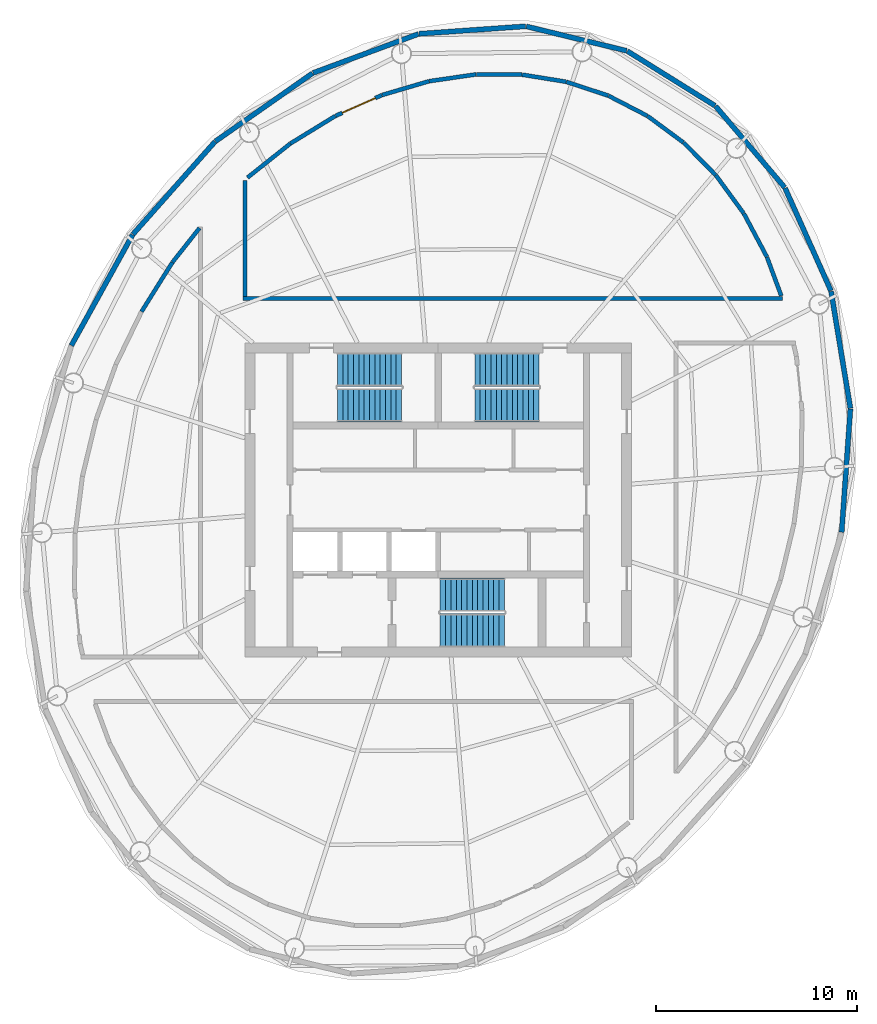
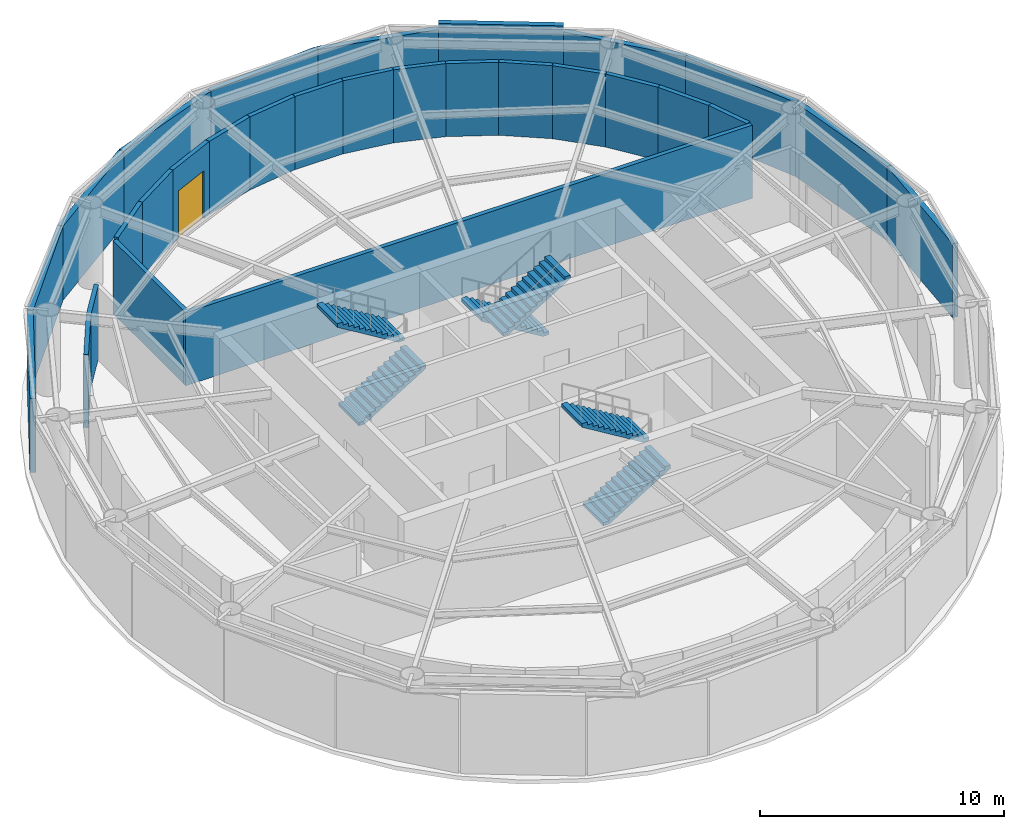
# One storey, part 5 of 6: 29 walls, 6 stair flights, 1 door, 1 opening, 3 elements without a shape of their own.
"""IFC4 building model written with IfcOpenShell, lengths in metres."""

from ifc_helpers import new_model, si_unit, direction, frame, frame_2d, origin, place, context, subcontext, project, spatial, polyline, rectangle, outline, extrude, material, layer, layer_set, type_object, element, fill, aggregate, save


model = new_model("IFC4")

# Units and contexts
model_context = context("Model", 3, precision=1e-05, world=origin(), true_north=direction((0.0, 1.0)))
body_context = subcontext(model_context, "Body", "Model", "MODEL_VIEW")
ifc_project = project(units=[si_unit("LENGTHUNIT", "METRE"), si_unit("AREAUNIT", "SQUARE_METRE"), si_unit("VOLUMEUNIT", "CUBIC_METRE"), si_unit("PLANEANGLEUNIT", "RADIAN"), si_unit("MASSUNIT", "GRAM", prefix="KILO")], contexts=[model_context])

# Site, building, storey
site_placement = place(None, origin())
site = spatial("IfcSite", under=ifc_project, at=site_placement, CompositionType="ELEMENT")
building_placement = place(site_placement, origin())
building = spatial("IfcBuilding", under=site, at=building_placement, Name="Vermilion Reach Broadcast Tower", CompositionType="ELEMENT")
storey_placement = place(building_placement, frame((0.0, 0.0, 312.89990234375)))
storey = spatial("IfcBuildingStorey", under=building, at=storey_placement, Name="L78 CROWN", CompositionType="ELEMENT", Elevation=312.89990234375)

# Walls
ifc_material_1 = material(Name="Anodised aluminium louvre cladding", Category="aluminium")
ifc_layer_1 = layer(ifc_material_1, 0.25)
ifc_layer_set_1 = layer_set([ifc_layer_1], Name="Plant louvre wall 250")
wall_type_1 = type_object("IfcWallType", Name="Plant louvre wall 250", PredefinedType="SOLIDWALL", material=ifc_layer_set_1)
wall_1_placement = place(storey_placement, frame((7.736572265625, 19.56982421875, 0.0), z_axis=(0.0, 0.0, 1.0), x_axis=(-0.84872546146, 0.528833708333, 0.0)))
element("IfcWall", 1, at=wall_1_placement, inside=storey, type_object=wall_type_1, Name="Louvre wall L78 CROWN 24", PredefinedType="SOLIDWALL", context=body_context, shape_type="SweptSolid", body=[
    extrude(rectangle(XDim=5.124755859375, YDim=0.25, at=frame_2d((2.5625, 0.0))), origin(), (0.0, 0.0, 1.0), 4.0),
])
ifc_material_2 = material(Name="Anodised aluminium louvre cladding", Category="aluminium")
ifc_layer_2 = layer(ifc_material_2, 0.25)
ifc_layer_set_2 = layer_set([ifc_layer_2], Name="Plant louvre wall 250, head 300 below soffit")
wall_type_2 = type_object("IfcWallType", Name="Plant louvre wall 250, head 300 below soffit", PredefinedType="SOLIDWALL", material=ifc_layer_set_2)
wall_2_placement = place(storey_placement, frame((3.350830078125, 22.29541015625, 0.0), z_axis=(0.0, 0.0, 1.0), x_axis=(-0.971672333914, 0.236332129654, 0.0)))
element("IfcWall", 2, at=wall_2_placement, inside=storey, type_object=wall_type_2, Name="Louvre wall L78 CROWN 01", PredefinedType="SOLIDWALL", context=body_context, shape_type="SweptSolid", body=[
    extrude(rectangle(XDim=5.125, YDim=0.25, at=frame_2d((2.5625, 0.0))), origin(), (0.0, 0.0, 1.0), 3.7001953125),
])
wall_3_placement = place(storey_placement, frame((-1.666748046875, 23.509765625, 0.0), z_axis=(0.0, 0.0, 1.0), x_axis=(-0.997541335578, -0.070080552324, 0.0)))
element("IfcWall", 3, at=wall_3_placement, inside=storey, type_object=wall_type_2, Name="Louvre wall L78 CROWN 02", PredefinedType="SOLIDWALL", context=body_context, shape_type="SweptSolid", body=[
    extrude(rectangle(XDim=5.295166015625, YDim=0.25, at=frame_2d((2.6474609375, 0.0))), origin(), (0.0, 0.0, 1.0), 3.7001953125),
])
wall_4_placement = place(storey_placement, frame((-6.983154296875, 23.13134765625, 0.0), z_axis=(0.0, 0.0, 1.0), x_axis=(-0.937764073403, -0.34727300879, 0.0)))
element("IfcWall", 4, at=wall_4_placement, inside=storey, type_object=wall_type_2, Name="Louvre wall L78 CROWN 03", PredefinedType="SOLIDWALL", context=body_context, shape_type="SweptSolid", body=[
    extrude(rectangle(XDim=5.5771484375, YDim=0.25, at=frame_2d((2.78857421875, 0.0))), origin(), (0.0, 0.0, 1.0), 3.7001953125),
])
wall_5_placement = place(storey_placement, frame((-12.2412109375, 21.1796875, 0.0), z_axis=(0.0, 0.0, 1.0), x_axis=(-0.818761962214, -0.574133128492, 0.0)))
element("IfcWall", 5, at=wall_5_placement, inside=storey, type_object=wall_type_2, Name="Louvre wall L78 CROWN 04", PredefinedType="SOLIDWALL", context=body_context, shape_type="SweptSolid", body=[
    extrude(rectangle(XDim=5.88525390625, YDim=0.25, at=frame_2d((2.942626953125, 0.0))), origin(), (0.0, 0.0, 1.0), 3.7001953125),
])
wall_6_placement = place(storey_placement, frame((-17.081298828125, 17.781494140625, 0.0), z_axis=(0.0, 0.0, 1.0), x_axis=(-0.663232601491, -0.748413332537, 0.0)))
element("IfcWall", 6, at=wall_6_placement, inside=storey, type_object=wall_type_2, Name="Louvre wall L78 CROWN 05", PredefinedType="SOLIDWALL", context=body_context, shape_type="SweptSolid", body=[
    extrude(rectangle(XDim=6.139404296875, YDim=0.25, at=frame_2d((3.06982421875, 0.0))), origin(), (0.0, 0.0, 1.0), 3.7001953125),
])
wall_7_placement = place(storey_placement, frame((-21.168701171875, 13.164794921875, 0.0), z_axis=(0.0, 0.0, 1.0), x_axis=(-0.484124074201, -0.874999360445, 0.0)))
element("IfcWall", 7, at=wall_7_placement, inside=storey, type_object=wall_type_2, Name="Louvre wall L78 CROWN 06", PredefinedType="SOLIDWALL", context=body_context, shape_type="SweptSolid", body=[
    extrude(rectangle(XDim=6.281005859375, YDim=0.25, at=frame_2d((3.140625, 0.0))), origin(), (0.0, 0.0, 1.0), 3.7001953125),
])
wall_8_placement = place(storey_placement, frame((14.023681640625, -1.60009765625, 0.0), z_axis=(0.0, 0.0, 1.0), x_axis=(0.07066487406, 0.99750011307, 0.0)))
element("IfcWall", 8, at=wall_8_placement, inside=storey, type_object=wall_type_2, Name="Louvre wall L78 CROWN 20", PredefinedType="SOLIDWALL", context=body_context, shape_type="SweptSolid", body=[
    extrude(rectangle(XDim=6.139404296875, YDim=0.25, at=frame_2d((3.06982421875, 0.0))), origin(), (0.0, 0.0, 1.0), 3.7001953125),
])
wall_9_placement = place(storey_placement, frame((14.4560546875, 4.552734375, 0.0), z_axis=(0.0, 0.0, 1.0), x_axis=(-0.162616041589, 0.986689425816, 0.0)))
element("IfcWall", 9, at=wall_9_placement, inside=storey, type_object=wall_type_2, Name="Louvre wall L78 CROWN 21", PredefinedType="SOLIDWALL", context=body_context, shape_type="SweptSolid", body=[
    extrude(rectangle(XDim=5.88525390625, YDim=0.25, at=frame_2d((2.942626953125, 0.0))), origin(), (0.0, 0.0, 1.0), 3.7001953125),
])
wall_10_placement = place(storey_placement, frame((13.489990234375, 10.389892578125, 0.0), z_axis=(0.0, 0.0, 1.0), x_axis=(-0.407989751163, 0.912986507538, 0.0)))
element("IfcWall", 10, at=wall_10_placement, inside=storey, type_object=wall_type_2, Name="Louvre wall L78 CROWN 22", PredefinedType="SOLIDWALL", context=body_context, shape_type="SweptSolid", body=[
    extrude(rectangle(XDim=5.5771484375, YDim=0.25, at=frame_2d((2.78857421875, 0.0))), origin(), (0.0, 0.0, 1.0), 3.7001953125),
])
wall_11_placement = place(storey_placement, frame((11.196044921875, 15.511474609375, 0.0), z_axis=(0.0, 0.0, 1.0), x_axis=(-0.647893308308, 0.761731094973, 0.0)))
element("IfcWall", 11, at=wall_11_placement, inside=storey, type_object=wall_type_2, Name="Louvre wall L78 CROWN 23", PredefinedType="SOLIDWALL", context=body_context, shape_type="SweptSolid", body=[
    extrude(rectangle(XDim=5.295166015625, YDim=0.25, at=frame_2d((2.6474609375, 0.0))), origin(), (0.0, 0.0, 1.0), 3.7001953125),
])
ifc_material_3 = material(Name="Gypsum board shaft wall")
ifc_layer_3 = layer(ifc_material_3, 0.199951171875)
ifc_layer_set_3 = layer_set([ifc_layer_3], Name="Plant room wall 200")
wall_type_3 = type_object("IfcWallType", Name="Plant room wall 200", PredefinedType="PARTITIONING", material=ifc_layer_set_3)
wall_12_placement = place(storey_placement, frame((-15.7001953125, 10.0, 0.0), z_axis=(0.0, 0.0, 1.0), x_axis=(1.0, 0.0, 0.0)))
element("IfcWall", 12, at=wall_12_placement, inside=storey, type_object=wall_type_3, Name="sp.wall.L78 CROWN.000", PredefinedType="PARTITIONING", context=body_context, shape_type="SweptSolid", body=[
    extrude(rectangle(XDim=26.7763671875, YDim=0.199951171875, at=frame_2d((13.38818359375, 0.0))), origin(), (0.0, 0.0, 1.0), 3.650146484375),
])
wall_13_placement = place(storey_placement, frame((-15.60009765625, 10.10009765625, 0.0), z_axis=(0.0, 0.0, 1.0), x_axis=(0.0, 1.0, 0.0)))
element("IfcWall", 13, at=wall_13_placement, inside=storey, type_object=wall_type_3, Name="sp.wall.L78 CROWN.004", PredefinedType="PARTITIONING", context=body_context, shape_type="SweptSolid", body=[
    extrude(rectangle(XDim=5.767333984375, YDim=0.199951171875, at=frame_2d((2.8837890625, 0.0))), origin(), (0.0, 0.0, 1.0), 3.650146484375),
])
wall_14_placement = place(storey_placement, frame((7.780029296875, 16.11865234375, 0.0), z_axis=(0.0, 0.0, 1.0), x_axis=(0.590082027637, -0.807343297897, 0.0)))
element("IfcWall", 14, at=wall_14_placement, inside=storey, type_object=wall_type_3, Name="sp.wall.L78 CROWN.008", PredefinedType="PARTITIONING", context=body_context, shape_type="SweptSolid", body=[
    extrude(rectangle(XDim=2.33837890625, YDim=0.199951171875, at=frame_2d((1.169189453125, 0.0))), origin(), (0.0, 0.0, 1.0), 3.650146484375),
])
wall_15_placement = place(storey_placement, frame((9.168212890625, 14.21923828125, 0.0), z_axis=(0.0, 0.0, 1.0), x_axis=(0.469606334902, -0.882875920059, 0.0)))
element("IfcWall", 15, at=wall_15_placement, inside=storey, type_object=wall_type_3, Name="sp.wall.L78 CROWN.009", PredefinedType="PARTITIONING", context=body_context, shape_type="SweptSolid", body=[
    extrude(rectangle(XDim=2.439697265625, YDim=0.199951171875, at=frame_2d((1.2197265625, 0.0))), origin(), (0.0, 0.0, 1.0), 3.650146484375),
])
wall_16_placement = place(storey_placement, frame((10.318603515625, 12.052490234375, 0.0), z_axis=(0.0, 0.0, 1.0), x_axis=(0.346197844841, -0.938161527791, 0.0)))
element("IfcWall", 16, at=wall_16_placement, inside=storey, type_object=wall_type_3, Name="sp.wall.L78 CROWN.010", PredefinedType="PARTITIONING", context=body_context, shape_type="SweptSolid", body=[
    extrude(rectangle(XDim=2.04443359375, YDim=0.199951171875, at=frame_2d((1.022216796875, 0.0))), origin(), (0.0, 0.0, 1.0), 3.650146484375),
])
wall_17_placement = place(storey_placement, frame((-15.467529296875, 16.0009765625, 0.0), z_axis=(0.0, 0.0, 1.0), x_axis=(0.782665833332, 0.62244212047, 0.0)))
element("IfcWall", 17, at=wall_17_placement, inside=storey, type_object=wall_type_3, Name="sp.wall.L78 CROWN.011", PredefinedType="PARTITIONING", context=body_context, shape_type="SweptSolid", body=[
    extrude(rectangle(XDim=2.712158203125, YDim=0.199951171875, at=frame_2d((1.35595703125, 0.0))), origin(), (0.0, 0.0, 1.0), 3.650146484375),
])
wall_18_placement = place(storey_placement, frame((-13.334228515625, 17.69580078125, 0.0), z_axis=(0.0, 0.0, 1.0), x_axis=(0.852667029926, 0.522454721557, 0.0)))
element("IfcWall", 18, at=wall_18_placement, inside=storey, type_object=wall_type_3, Name="sp.wall.L78 CROWN.012", PredefinedType="PARTITIONING", context=body_context, shape_type="SweptSolid", body=[
    extrude(rectangle(XDim=2.613525390625, YDim=0.199951171875, at=frame_2d((1.306640625, 0.0))), origin(), (0.0, 0.0, 1.0), 3.650146484375),
])

# Wall, opening, door
wall_19_placement = place(storey_placement, frame((-8.7939453125, 20.097412109375, 0.0), z_axis=(0.0, 0.0, 1.0), x_axis=(-0.912552955942, -0.408958558538, 0.0)))
wall_19 = element("IfcWall", 19, at=wall_19_placement, inside=storey, type_object=wall_type_3, Name="sp.wall.L78 CROWN.013", PredefinedType="PARTITIONING", context=body_context, shape_type="SweptSolid", body=[
    extrude(rectangle(XDim=2.5205078125, YDim=0.199951171875, at=frame_2d((1.26025390625, 0.0))), origin(), (0.0, 0.0, 1.0), 3.650146484375),
])
opening_placement = place(wall_19_placement, frame((0.360107421875, 0.0, 0.0)))
opening = element("IfcOpeningElement", 20, at=opening_placement, cuts=wall_19, Name="Opening D53", PredefinedType="OPENING", context=body_context, shape_type="SweptSolid", body=[
    extrude(rectangle(XDim=1.800048828125, YDim=2.39990234375, at=frame_2d((0.89990234375, 1.199951171875))), frame((0.0, 0.10986328125, 0.0), z_axis=(0.0, -1.0, 0.0), x_axis=(1.0, 0.0, 0.0)), (0.0, 0.0, 1.0), 0.219970703125),
])
ifc_material_4 = material(Name="Timber and steel door set", Category="steel")
door_type = type_object("IfcDoorType", Name="Plant double door 1800x2400", OperationType="NOTDEFINED", PredefinedType="DOOR", material=ifc_material_4)
door_placement = place(opening_placement, origin())
door = element("IfcDoor", 21, at=door_placement, inside=storey, type_object=door_type, Name="sp.door.L78 CROWN.000", OperationType="DOUBLE_DOOR_SINGLE_SWING", OverallHeight=2.39990234375, OverallWidth=1.800048828125, PredefinedType="DOOR", context=body_context, shape_type="SweptSolid", body=[
    extrude(rectangle(XDim=1.800048828125, YDim=2.39990234375, at=frame_2d((0.89990234375, 1.199951171875))), frame((0.0, 0.02490234375, 0.0), z_axis=(0.0, -1.0, 0.0), x_axis=(1.0, 0.0, 0.0)), (0.0, 0.0, 1.0), 0.050048828125),
])
fill(opening, door)

# Walls
wall_20_placement = place(storey_placement, frame((-8.781005859375, 20.101318359375, 0.0), z_axis=(0.0, 0.0, 1.0), x_axis=(0.95934146389, 0.28224803925, 0.0)))
element("IfcWall", 22, at=wall_20_placement, inside=storey, type_object=wall_type_3, Name="sp.wall.L78 CROWN.014", PredefinedType="PARTITIONING", context=body_context, shape_type="SweptSolid", body=[
    extrude(rectangle(XDim=2.42626953125, YDim=0.199951171875, at=frame_2d((1.213134765625, 0.0))), origin(), (0.0, 0.0, 1.0), 3.650146484375),
])
wall_21_placement = place(storey_placement, frame((-6.439208984375, 20.7880859375, 0.0), z_axis=(0.0, 0.0, 1.0), x_axis=(0.989671979467, 0.143350525141, 0.0)))
element("IfcWall", 23, at=wall_21_placement, inside=storey, type_object=wall_type_3, Name="sp.wall.L78 CROWN.015", PredefinedType="PARTITIONING", context=body_context, shape_type="SweptSolid", body=[
    extrude(rectangle(XDim=2.33837890625, YDim=0.199951171875, at=frame_2d((1.169189453125, 0.0))), origin(), (0.0, 0.0, 1.0), 3.650146484375),
])
wall_22_placement = place(storey_placement, frame((-4.110107421875, 21.123046875, 0.0), z_axis=(0.0, 0.0, 1.0), x_axis=(0.999986603133, -0.005176248997, 0.0)))
element("IfcWall", 24, at=wall_22_placement, inside=storey, type_object=wall_type_3, Name="sp.wall.L78 CROWN.016", PredefinedType="PARTITIONING", context=body_context, shape_type="SweptSolid", body=[
    extrude(rectangle(XDim=2.263916015625, YDim=0.199951171875, at=frame_2d((1.1318359375, 0.0))), origin(), (0.0, 0.0, 1.0), 3.650146484375),
])
wall_23_placement = place(storey_placement, frame((-1.830810546875, 21.10888671875, 0.0), z_axis=(0.0, 0.0, 1.0), x_axis=(0.987257926423, -0.159128208423, 0.0)))
element("IfcWall", 25, at=wall_23_placement, inside=storey, type_object=wall_type_3, Name="sp.wall.L78 CROWN.017", PredefinedType="PARTITIONING", context=body_context, shape_type="SweptSolid", body=[
    extrude(rectangle(XDim=2.209228515625, YDim=0.199951171875, at=frame_2d((1.1044921875, 0.0))), origin(), (0.0, 0.0, 1.0), 3.650146484375),
])
wall_24_placement = place(storey_placement, frame((0.365478515625, 20.752197265625, 0.0), z_axis=(0.0, 0.0, 1.0), x_axis=(0.949852302688, -0.312698901627, 0.0)))
element("IfcWall", 26, at=wall_24_placement, inside=storey, type_object=wall_type_3, Name="sp.wall.L78 CROWN.018", PredefinedType="PARTITIONING", context=body_context, shape_type="SweptSolid", body=[
    extrude(rectangle(XDim=2.1806640625, YDim=0.199951171875, at=frame_2d((1.09033203125, 0.0))), origin(), (0.0, 0.0, 1.0), 3.650146484375),
])
wall_25_placement = place(storey_placement, frame((2.450927734375, 20.062744140625, 0.0), z_axis=(0.0, 0.0, 1.0), x_axis=(0.888068415533, -0.45971131086, 0.0)))
element("IfcWall", 27, at=wall_25_placement, inside=storey, type_object=wall_type_3, Name="sp.wall.L78 CROWN.019", PredefinedType="PARTITIONING", context=body_context, shape_type="SweptSolid", body=[
    extrude(rectangle(XDim=2.16455078125, YDim=0.199951171875, at=frame_2d((1.082275390625, 0.0))), origin(), (0.0, 0.0, 1.0), 3.650146484375),
])
wall_26_placement = place(storey_placement, frame((4.387451171875, 19.060302734375, 0.0), z_axis=(0.0, 0.0, 1.0), x_axis=(0.80443326696, -0.594043027909, 0.0)))
element("IfcWall", 28, at=wall_26_placement, inside=storey, type_object=wall_type_3, Name="sp.wall.L78 CROWN.020", PredefinedType="PARTITIONING", context=body_context, shape_type="SweptSolid", body=[
    extrude(rectangle(XDim=2.20947265625, YDim=0.199951171875, at=frame_2d((1.104736328125, 0.0))), origin(), (0.0, 0.0, 1.0), 3.650146484375),
])
wall_27_placement = place(storey_placement, frame((6.17724609375, 17.738525390625, 0.0), z_axis=(0.0, 0.0, 1.0), x_axis=(0.703376280453, -0.710817703843, 0.0)))
element("IfcWall", 29, at=wall_27_placement, inside=storey, type_object=wall_type_3, Name="sp.wall.L78 CROWN.021", PredefinedType="PARTITIONING", context=body_context, shape_type="SweptSolid", body=[
    extrude(rectangle(XDim=2.263671875, YDim=0.199951171875, at=frame_2d((1.1318359375, 0.0))), origin(), (0.0, 0.0, 1.0), 3.650146484375),
])
wall_28_placement = place(storey_placement, frame((-20.724609375, 9.352294921875, 0.0), z_axis=(0.0, 0.0, 1.0), x_axis=(0.530761457751, 0.847521253401, 0.0)))
element("IfcWall", 30, at=wall_28_placement, inside=storey, type_object=wall_type_3, Name="sp.wall.L78 CROWN.027", PredefinedType="PARTITIONING", context=body_context, shape_type="SweptSolid", body=[
    extrude(rectangle(XDim=2.877197265625, YDim=0.199951171875, at=frame_2d((1.4384765625, 0.0))), origin(), (0.0, 0.0, 1.0), 3.650146484375),
])
wall_29_placement = place(storey_placement, frame((-19.190673828125, 11.79931640625, 0.0), z_axis=(0.0, 0.0, 1.0), x_axis=(0.620321195124, 0.784347891487, 0.0)))
element("IfcWall", 31, at=wall_29_placement, inside=storey, type_object=wall_type_3, Name="sp.wall.L78 CROWN.028", PredefinedType="PARTITIONING", context=body_context, shape_type="SweptSolid", body=[
    extrude(rectangle(XDim=2.16259765625, YDim=0.199951171875, at=frame_2d((1.081298828125, 0.0))), origin(), (0.0, 0.0, 1.0), 3.650146484375),
])

# Stair, stair flights
ifc_material_5 = material(Name="Concrete C40", Category="concrete")
stair_type = type_object("IfcStairType", Name="Exit stair RC 26 risers 162 mm", PredefinedType="HALF_TURN_STAIR", material=ifc_material_5)
placement = place(storey_placement, origin())
stair_1 = element("IfcStair", 32, at=placement, inside=storey, type_object=stair_type, Name="L78 CROWN Exit stair ST1", PredefinedType="HALF_TURN_STAIR")
ifc_material_6 = material(Name="Concrete C40", Category="concrete")
stair_flight_type = type_object("IfcStairFlightType", Name="Exit stair flight RC 13 risers", PredefinedType="STRAIGHT", material=ifc_material_6)
stair_flight_1_placement = place(storey_placement, frame((-11.0, 4.7099609375, 0.0), z_axis=(0.0, 0.0, 1.0), x_axis=(1.0, 0.0, 0.0)))
stair_flight_1 = element("IfcStairFlight", 33, at=stair_flight_1_placement, type_object=stair_flight_type, Name="ST1 flight 1", NumberOfRisers=13, NumberOfTreads=12, PredefinedType="STRAIGHT", RiserHeight=0.161538462, TreadLength=0.265, context=body_context, shape_type="SweptSolid", body=[
    extrude(outline(polyline([(0.0, 0.0), (0.0, 0.16162109375), (0.264892578125, 0.16162109375), (0.264892578125, 0.322998046875), (0.530029296875, 0.322998046875), (0.530029296875, 0.484619140625), (0.794921875, 0.484619140625), (0.794921875, 0.646240234375), (1.06005859375, 0.646240234375), (1.06005859375, 0.8076171875), (1.324951171875, 0.8076171875), (1.324951171875, 0.96923828125), (1.590087890625, 0.96923828125), (1.590087890625, 1.130859375), (1.85498046875, 1.130859375), (1.85498046875, 1.292236328125), (2.1201171875, 1.292236328125), (2.1201171875, 1.453857421875), (2.385009765625, 1.453857421875), (2.385009765625, 1.615478515625), (2.64990234375, 1.615478515625), (2.64990234375, 1.77685546875), (2.9150390625, 1.77685546875), (2.9150390625, 1.9384765625), (3.179931640625, 1.9384765625), (3.179931640625, 2.10009765625), (3.179931640625, 1.762939453125), (0.2880859375, 0.0), (0.0, 0.0)])), frame((0.0, 0.830078125, 0.0), z_axis=(0.0, -1.0, 0.0), x_axis=(1.0, 0.0, 0.0)), (0.0, 0.0, 1.0), 1.659912109375),
])
stair_flight_2_placement = place(storey_placement, frame((-7.820068359375, 6.469970703125, 2.10009765625), z_axis=(0.0, 0.0, 1.0), x_axis=(-1.0, 0.0, 0.0)))
stair_flight_2 = element("IfcStairFlight", 34, at=stair_flight_2_placement, type_object=stair_flight_type, Name="ST1 flight 2", NumberOfRisers=13, NumberOfTreads=12, PredefinedType="STRAIGHT", RiserHeight=0.161538462, TreadLength=0.265, context=body_context, shape_type="SweptSolid", body=[
    extrude(outline(polyline([(0.0, 0.0), (0.0, 0.16162109375), (0.264892578125, 0.16162109375), (0.264892578125, 0.322998046875), (0.530029296875, 0.322998046875), (0.530029296875, 0.484619140625), (0.794921875, 0.484619140625), (0.794921875, 0.646240234375), (1.06005859375, 0.646240234375), (1.06005859375, 0.8076171875), (1.324951171875, 0.8076171875), (1.324951171875, 0.96923828125), (1.590087890625, 0.96923828125), (1.590087890625, 1.130859375), (1.85498046875, 1.130859375), (1.85498046875, 1.292236328125), (2.1201171875, 1.292236328125), (2.1201171875, 1.453857421875), (2.385009765625, 1.453857421875), (2.385009765625, 1.615478515625), (2.64990234375, 1.615478515625), (2.64990234375, 1.77685546875), (2.9150390625, 1.77685546875), (2.9150390625, 1.9384765625), (3.179931640625, 1.9384765625), (3.179931640625, 2.10009765625), (3.179931640625, 1.762939453125), (0.2880859375, 0.0), (0.0, 0.0)])), frame((0.0, 0.830078125, 0.0), z_axis=(0.0, -1.0, 0.0), x_axis=(1.0, 0.0, 0.0)), (0.0, 0.0, 1.0), 1.659912109375),
])
aggregate(stair_1, [stair_flight_1, stair_flight_2])

stair_2 = element("IfcStair", 35, at=placement, inside=storey, type_object=stair_type, Name="L78 CROWN Exit stair ST2", PredefinedType="HALF_TURN_STAIR")
stair_flight_3_placement = place(storey_placement, frame((-1.0, 6.469970703125, 0.0), z_axis=(0.0, 0.0, 1.0), x_axis=(-1.0, 0.0, 0.0)))
stair_flight_3 = element("IfcStairFlight", 36, at=stair_flight_3_placement, type_object=stair_flight_type, Name="ST2 flight 1", NumberOfRisers=13, NumberOfTreads=12, PredefinedType="STRAIGHT", RiserHeight=0.161538462, TreadLength=0.265, context=body_context, shape_type="SweptSolid", body=[
    extrude(outline(polyline([(0.0, 0.0), (0.0, 0.16162109375), (0.264892578125, 0.16162109375), (0.264892578125, 0.322998046875), (0.530029296875, 0.322998046875), (0.530029296875, 0.484619140625), (0.794921875, 0.484619140625), (0.794921875, 0.646240234375), (1.06005859375, 0.646240234375), (1.06005859375, 0.8076171875), (1.324951171875, 0.8076171875), (1.324951171875, 0.96923828125), (1.590087890625, 0.96923828125), (1.590087890625, 1.130859375), (1.85498046875, 1.130859375), (1.85498046875, 1.292236328125), (2.1201171875, 1.292236328125), (2.1201171875, 1.453857421875), (2.385009765625, 1.453857421875), (2.385009765625, 1.615478515625), (2.64990234375, 1.615478515625), (2.64990234375, 1.77685546875), (2.9150390625, 1.77685546875), (2.9150390625, 1.9384765625), (3.179931640625, 1.9384765625), (3.179931640625, 2.10009765625), (3.179931640625, 1.762939453125), (0.2880859375, 0.0), (0.0, 0.0)])), frame((0.0, 0.830078125, 0.0), z_axis=(0.0, -1.0, 0.0), x_axis=(1.0, 0.0, 0.0)), (0.0, 0.0, 1.0), 1.659912109375),
])
stair_flight_4_placement = place(storey_placement, frame((-4.179931640625, 4.7099609375, 2.10009765625), z_axis=(0.0, 0.0, 1.0), x_axis=(1.0, 0.0, 0.0)))
stair_flight_4 = element("IfcStairFlight", 37, at=stair_flight_4_placement, type_object=stair_flight_type, Name="ST2 flight 2", NumberOfRisers=13, NumberOfTreads=12, PredefinedType="STRAIGHT", RiserHeight=0.161538462, TreadLength=0.265, context=body_context, shape_type="SweptSolid", body=[
    extrude(outline(polyline([(0.0, 0.0), (0.0, 0.16162109375), (0.264892578125, 0.16162109375), (0.264892578125, 0.322998046875), (0.530029296875, 0.322998046875), (0.530029296875, 0.484619140625), (0.794921875, 0.484619140625), (0.794921875, 0.646240234375), (1.06005859375, 0.646240234375), (1.06005859375, 0.8076171875), (1.324951171875, 0.8076171875), (1.324951171875, 0.96923828125), (1.590087890625, 0.96923828125), (1.590087890625, 1.130859375), (1.85498046875, 1.130859375), (1.85498046875, 1.292236328125), (2.1201171875, 1.292236328125), (2.1201171875, 1.453857421875), (2.385009765625, 1.453857421875), (2.385009765625, 1.615478515625), (2.64990234375, 1.615478515625), (2.64990234375, 1.77685546875), (2.9150390625, 1.77685546875), (2.9150390625, 1.9384765625), (3.179931640625, 1.9384765625), (3.179931640625, 2.10009765625), (3.179931640625, 1.762939453125), (0.2880859375, 0.0), (0.0, 0.0)])), frame((0.0, 0.830078125, 0.0), z_axis=(0.0, -1.0, 0.0), x_axis=(1.0, 0.0, 0.0)), (0.0, 0.0, 1.0), 1.659912109375),
])
aggregate(stair_2, [stair_flight_3, stair_flight_4])

stair_3 = element("IfcStair", 38, at=placement, inside=storey, type_object=stair_type, Name="L78 CROWN Exit stair ST3", PredefinedType="HALF_TURN_STAIR")
stair_flight_5_placement = place(storey_placement, frame((-5.89990234375, -6.469970703125, 0.0), z_axis=(0.0, 0.0, 1.0), x_axis=(1.0, 0.0, 0.0)))
stair_flight_5 = element("IfcStairFlight", 39, at=stair_flight_5_placement, type_object=stair_flight_type, Name="ST3 flight 1", NumberOfRisers=13, NumberOfTreads=12, PredefinedType="STRAIGHT", RiserHeight=0.161538462, TreadLength=0.265, context=body_context, shape_type="SweptSolid", body=[
    extrude(outline(polyline([(0.0, 0.0), (0.0, 0.16162109375), (0.264892578125, 0.16162109375), (0.264892578125, 0.322998046875), (0.530029296875, 0.322998046875), (0.530029296875, 0.484619140625), (0.794921875, 0.484619140625), (0.794921875, 0.646240234375), (1.06005859375, 0.646240234375), (1.06005859375, 0.8076171875), (1.324951171875, 0.8076171875), (1.324951171875, 0.96923828125), (1.590087890625, 0.96923828125), (1.590087890625, 1.130859375), (1.85498046875, 1.130859375), (1.85498046875, 1.292236328125), (2.1201171875, 1.292236328125), (2.1201171875, 1.453857421875), (2.385009765625, 1.453857421875), (2.385009765625, 1.615478515625), (2.64990234375, 1.615478515625), (2.64990234375, 1.77685546875), (2.9150390625, 1.77685546875), (2.9150390625, 1.9384765625), (3.179931640625, 1.9384765625), (3.179931640625, 2.10009765625), (3.179931640625, 1.762939453125), (0.2880859375, 0.0), (0.0, 0.0)])), frame((0.0, 0.830078125, 0.0), z_axis=(0.0, -1.0, 0.0), x_axis=(1.0, 0.0, 0.0)), (0.0, 0.0, 1.0), 1.659912109375),
])
stair_flight_6_placement = place(storey_placement, frame((-2.719970703125, -4.7099609375, 2.10009765625), z_axis=(0.0, 0.0, 1.0), x_axis=(-1.0, 0.0, 0.0)))
stair_flight_6 = element("IfcStairFlight", 40, at=stair_flight_6_placement, type_object=stair_flight_type, Name="ST3 flight 2", NumberOfRisers=13, NumberOfTreads=12, PredefinedType="STRAIGHT", RiserHeight=0.161538462, TreadLength=0.265, context=body_context, shape_type="SweptSolid", body=[
    extrude(outline(polyline([(0.0, 0.0), (0.0, 0.16162109375), (0.264892578125, 0.16162109375), (0.264892578125, 0.322998046875), (0.530029296875, 0.322998046875), (0.530029296875, 0.484619140625), (0.794921875, 0.484619140625), (0.794921875, 0.646240234375), (1.06005859375, 0.646240234375), (1.06005859375, 0.8076171875), (1.324951171875, 0.8076171875), (1.324951171875, 0.96923828125), (1.590087890625, 0.96923828125), (1.590087890625, 1.130859375), (1.85498046875, 1.130859375), (1.85498046875, 1.292236328125), (2.1201171875, 1.292236328125), (2.1201171875, 1.453857421875), (2.385009765625, 1.453857421875), (2.385009765625, 1.615478515625), (2.64990234375, 1.615478515625), (2.64990234375, 1.77685546875), (2.9150390625, 1.77685546875), (2.9150390625, 1.9384765625), (3.179931640625, 1.9384765625), (3.179931640625, 2.10009765625), (3.179931640625, 1.762939453125), (0.2880859375, 0.0), (0.0, 0.0)])), frame((0.0, 0.830078125, 0.0), z_axis=(0.0, -1.0, 0.0), x_axis=(1.0, 0.0, 0.0)), (0.0, 0.0, 1.0), 1.659912109375),
])
aggregate(stair_3, [stair_flight_5, stair_flight_6])

save(model, "model.ifc")
